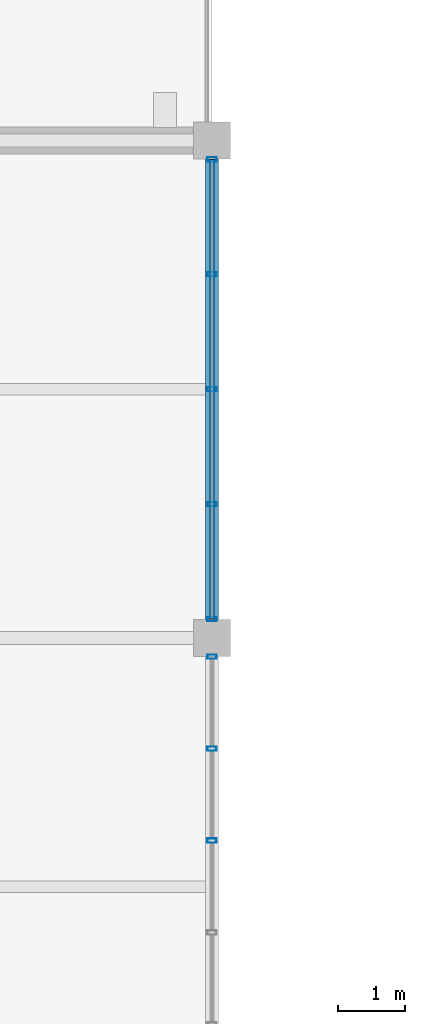
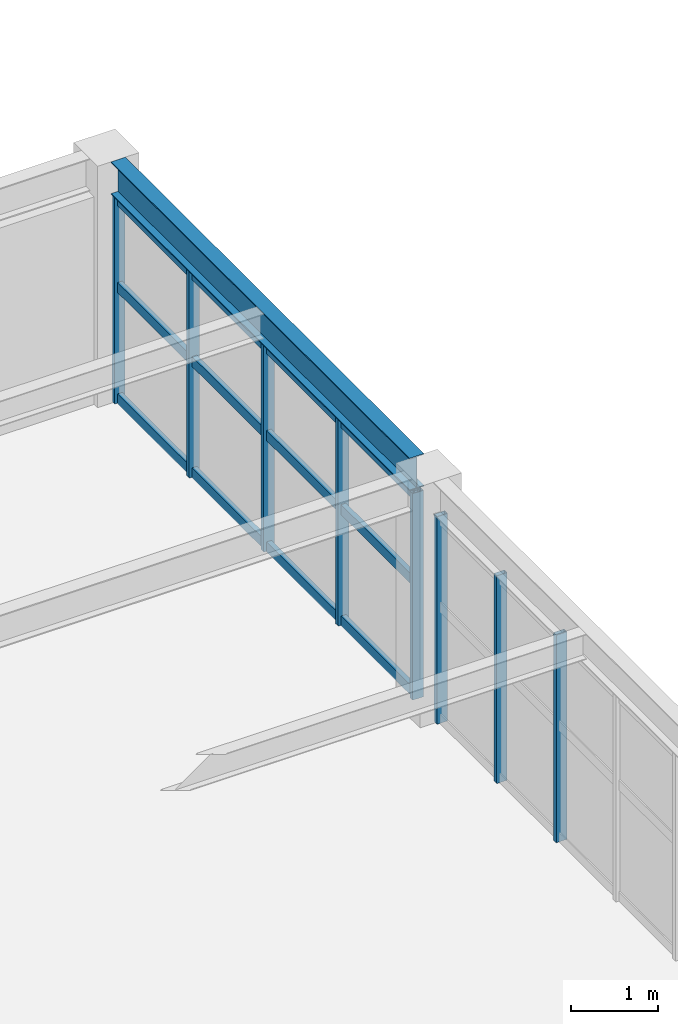
# One storey, part 27 of 93: 11 members, 1 beam, 2 elements without a shape of their own.
"""IFC4 building model written with IfcOpenShell, lengths in metres."""

from ifc_helpers import new_model, si_unit, direction, frame, origin, origin_2d, place, context, subcontext, project, spatial, hollow_rectangle, i_section, extrude, material, material_profile, profile_set, type_object, element, aggregate, save


model = new_model("IFC4")

# Units and contexts
model_context = context("Model", 3, precision=1e-05, world=origin(), true_north=direction((0.0, 1.0)))
body_context = subcontext(model_context, "Body", "Model", "MODEL_VIEW")
ifc_project = project(units=[si_unit("LENGTHUNIT", "METRE"), si_unit("AREAUNIT", "SQUARE_METRE"), si_unit("VOLUMEUNIT", "CUBIC_METRE"), si_unit("PLANEANGLEUNIT", "RADIAN"), si_unit("MASSUNIT", "GRAM", prefix="KILO")], contexts=[model_context])

# Site, building, storey
site_placement = place(None, origin())
site = spatial("IfcSite", under=ifc_project, at=site_placement, CompositionType="ELEMENT")
building_placement = place(site_placement, origin())
building = spatial("IfcBuilding", under=site, at=building_placement, Name="Cimatlan Art Gallery", CompositionType="ELEMENT")
storey_placement = place(building_placement, frame((0.0, 0.0, 13.800048828125)))
storey = spatial("IfcBuildingStorey", under=building, at=storey_placement, Name="L03", CompositionType="ELEMENT", Elevation=13.800048828125)

# Beam
ifc_material_1 = material(Name="Steel ASTM A992 Grade 50", Category="steel")
ifc_material_profile_1 = material_profile(ifc_material_1, i_section(OverallWidth=0.19091796875, OverallDepth=0.45703125, WebThickness=0.009033203125, FlangeThickness=0.014404296875, at=origin_2d()), Name="W18X50")
ifc_profile_set_1 = profile_set([ifc_material_profile_1], Name="Steel ASTM A992 Grade 50")
beam_type = type_object("IfcBeamType", Name="BM-STL-W18X50", PredefinedType="BEAM", material=ifc_profile_set_1)
beam_placement = place(storey_placement, frame((50.60009765625, 75.97509765625, 3.1513671875), z_axis=(0.0, 1.0, 0.0), x_axis=(-1.0, 0.0, 0.0)))
element("IfcBeam", 1, at=beam_placement, inside=storey, type_object=beam_type, Name="BM-Y-L03-06-10", PredefinedType="BEAM", context=body_context, shape_type="SweptSolid", body=[
    extrude(i_section(OverallWidth=0.19091796875, OverallDepth=0.45703125, WebThickness=0.009033203125, FlangeThickness=0.014404296875, at=origin_2d()), origin(), (0.0, 0.0, 1.0), 6.849853515625),
])

# Curtain wall, members
ifc_material_2 = material(Name="Anodised bronze unitised curtain wall")
curtain_wall_type_1 = type_object("IfcCurtainWallType", Name="CW-V-06842X02908-B5", PredefinedType="NOTDEFINED", material=ifc_material_2)
curtain_wall_1_placement = place(storey_placement, origin())
curtain_wall_1 = element("IfcCurtainWall", 2, at=curtain_wall_1_placement, inside=storey, type_object=curtain_wall_type_1, Name="CW-L03-05-09-E", PredefinedType="NOTDEFINED")
ifc_material_3 = material(Name="Anodised bronze aluminium 6063-T6", Category="aluminium")
ifc_material_profile_2 = material_profile(ifc_material_3, hollow_rectangle(XDim=0.06494140625, YDim=0.139892578125, WallThickness=0.00390625, at=origin_2d()), Name="ALU65X140X4")
ifc_profile_set_2 = profile_set([ifc_material_profile_2], Name="Anodised bronze aluminium 6063-T6")
member_type_1 = type_object("IfcMemberType", Name="CW-MUL-140", PredefinedType="MULLION", material=ifc_profile_set_2)
member_1_placement = place(storey_placement, frame((50.60009765625, 75.4208984375, 0.0), z_axis=(0.0, 0.0, 1.0), x_axis=(0.0, 1.0, 0.0)))
member_1 = element("IfcMember", 3, at=member_1_placement, type_object=member_type_1, Name="CW-L03-05-09-E-M1", PredefinedType="MULLION", context=body_context, shape_type="SweptSolid", body=[
    extrude(hollow_rectangle(XDim=0.06494140625, YDim=0.139892578125, WallThickness=0.00390625, at=origin_2d()), origin(), (0.0, 0.0, 1.0), 2.907958984375),
])
member_2_placement = place(storey_placement, frame((50.60009765625, 74.052490234375, 0.0), z_axis=(0.0, 0.0, 1.0), x_axis=(0.0, 1.0, 0.0)))
member_2 = element("IfcMember", 4, at=member_2_placement, type_object=member_type_1, Name="CW-L03-05-09-E-M2", PredefinedType="MULLION", context=body_context, shape_type="SweptSolid", body=[
    extrude(hollow_rectangle(XDim=0.06494140625, YDim=0.139892578125, WallThickness=0.00390625, at=origin_2d()), origin(), (0.0, 0.0, 1.0), 2.907958984375),
])
member_3_placement = place(storey_placement, frame((50.60009765625, 72.68408203125, 0.0), z_axis=(0.0, 0.0, 1.0), x_axis=(0.0, 1.0, 0.0)))
member_3 = element("IfcMember", 5, at=member_3_placement, type_object=member_type_1, Name="CW-L03-05-09-E-M3", PredefinedType="MULLION", context=body_context, shape_type="SweptSolid", body=[
    extrude(hollow_rectangle(XDim=0.06494140625, YDim=0.139892578125, WallThickness=0.00390625, at=origin_2d()), origin(), (0.0, 0.0, 1.0), 2.907958984375),
])
aggregate(curtain_wall_1, [member_1, member_2, member_3])

curtain_wall_type_2 = type_object("IfcCurtainWallType", Name="CW-V-06842X02893-B4", PredefinedType="NOTDEFINED", material=ifc_material_2)
curtain_wall_2_placement = place(storey_placement, origin())
curtain_wall_2 = element("IfcCurtainWall", 6, at=curtain_wall_2_placement, inside=storey, type_object=curtain_wall_type_2, Name="CW-L03-05-10-E", PredefinedType="NOTDEFINED")
member_4_placement = place(storey_placement, frame((50.60009765625, 82.821044921875, 0.0), z_axis=(0.0, 0.0, 1.0), x_axis=(0.0, 1.0, 0.0)))
member_4 = element("IfcMember", 7, at=member_4_placement, type_object=member_type_1, Name="CW-L03-05-10-E-M1", PredefinedType="MULLION", context=body_context, shape_type="SweptSolid", body=[
    extrude(hollow_rectangle(XDim=0.06494140625, YDim=0.139892578125, WallThickness=0.00390625, at=origin_2d()), origin(), (0.0, 0.0, 1.0), 2.89306640625),
])
member_5_placement = place(storey_placement, frame((50.60009765625, 81.110595703125, 0.0), z_axis=(0.0, 0.0, 1.0), x_axis=(0.0, 1.0, 0.0)))
member_5 = element("IfcMember", 8, at=member_5_placement, type_object=member_type_1, Name="CW-L03-05-10-E-M2", PredefinedType="MULLION", context=body_context, shape_type="SweptSolid", body=[
    extrude(hollow_rectangle(XDim=0.06494140625, YDim=0.139892578125, WallThickness=0.00390625, at=origin_2d()), origin(), (0.0, 0.0, 1.0), 2.89306640625),
])
member_6_placement = place(storey_placement, frame((50.60009765625, 79.39990234375, 0.0), z_axis=(0.0, 0.0, 1.0), x_axis=(0.0, 1.0, 0.0)))
member_6 = element("IfcMember", 9, at=member_6_placement, type_object=member_type_1, Name="CW-L03-05-10-E-M3", PredefinedType="MULLION", context=body_context, shape_type="SweptSolid", body=[
    extrude(hollow_rectangle(XDim=0.06494140625, YDim=0.139892578125, WallThickness=0.00390625, at=origin_2d()), origin(), (0.0, 0.0, 1.0), 2.89306640625),
])
member_7_placement = place(storey_placement, frame((50.60009765625, 77.689453125, 0.0), z_axis=(0.0, 0.0, 1.0), x_axis=(0.0, 1.0, 0.0)))
member_7 = element("IfcMember", 10, at=member_7_placement, type_object=member_type_1, Name="CW-L03-05-10-E-M4", PredefinedType="MULLION", context=body_context, shape_type="SweptSolid", body=[
    extrude(hollow_rectangle(XDim=0.06494140625, YDim=0.139892578125, WallThickness=0.00390625, at=origin_2d()), origin(), (0.0, 0.0, 1.0), 2.89306640625),
])
member_8_placement = place(storey_placement, frame((50.60009765625, 75.97900390625, 0.0), z_axis=(0.0, 0.0, 1.0), x_axis=(0.0, 1.0, 0.0)))
member_8 = element("IfcMember", 11, at=member_8_placement, type_object=member_type_1, Name="CW-L03-05-10-E-M5", PredefinedType="MULLION", context=body_context, shape_type="SweptSolid", body=[
    extrude(hollow_rectangle(XDim=0.06494140625, YDim=0.139892578125, WallThickness=0.00390625, at=origin_2d()), origin(), (0.0, 0.0, 1.0), 2.89306640625),
])
ifc_material_profile_3 = material_profile(ifc_material_3, hollow_rectangle(XDim=0.06494140625, YDim=0.139892578125, WallThickness=0.00390625, at=origin_2d()), Name="ALU65X140X4")
ifc_profile_set_3 = profile_set([ifc_material_profile_3], Name="Anodised bronze aluminium 6063-T6")
member_type_2 = type_object("IfcMemberType", Name="CW-TRN-140", PredefinedType="USERDEFINED", material=ifc_profile_set_3)
member_9_placement = place(storey_placement, frame((50.60009765625, 82.821044921875, 0.06005859375), z_axis=(0.0, -1.0, 0.0), x_axis=(1.0, 0.0, 0.0)))
member_9 = element("IfcMember", 12, at=member_9_placement, type_object=member_type_2, Name="CW-L03-05-10-E-T1", ObjectType="TRANSOM", PredefinedType="USERDEFINED", context=body_context, shape_type="SweptSolid", body=[
    extrude(hollow_rectangle(XDim=0.06494140625, YDim=0.139892578125, WallThickness=0.00390625, at=origin_2d()), origin(), (0.0, 0.0, 1.0), 6.842041015625),
])
member_10_placement = place(storey_placement, frame((50.60009765625, 82.821044921875, 1.6201171875), z_axis=(0.0, -1.0, 0.0), x_axis=(1.0, 0.0, 0.0)))
member_10 = element("IfcMember", 13, at=member_10_placement, type_object=member_type_2, Name="CW-L03-05-10-E-T2", ObjectType="TRANSOM", PredefinedType="USERDEFINED", context=body_context, shape_type="SweptSolid", body=[
    extrude(hollow_rectangle(XDim=0.06494140625, YDim=0.139892578125, WallThickness=0.00390625, at=origin_2d()), origin(), (0.0, 0.0, 1.0), 6.842041015625),
])
member_11_placement = place(storey_placement, frame((50.60009765625, 82.821044921875, 2.8330078125), z_axis=(0.0, -1.0, 0.0), x_axis=(1.0, 0.0, 0.0)))
member_11 = element("IfcMember", 14, at=member_11_placement, type_object=member_type_2, Name="CW-L03-05-10-E-T3", ObjectType="TRANSOM", PredefinedType="USERDEFINED", context=body_context, shape_type="SweptSolid", body=[
    extrude(hollow_rectangle(XDim=0.06494140625, YDim=0.139892578125, WallThickness=0.00390625, at=origin_2d()), origin(), (0.0, 0.0, 1.0), 6.842041015625),
])
aggregate(curtain_wall_2, [member_4, member_5, member_6, member_7, member_8, member_9, member_10, member_11])

save(model, "model.ifc")
